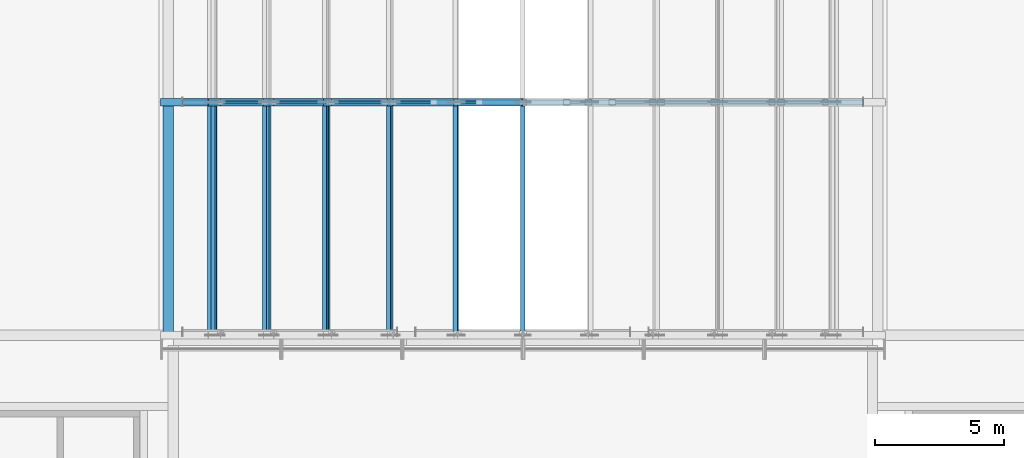
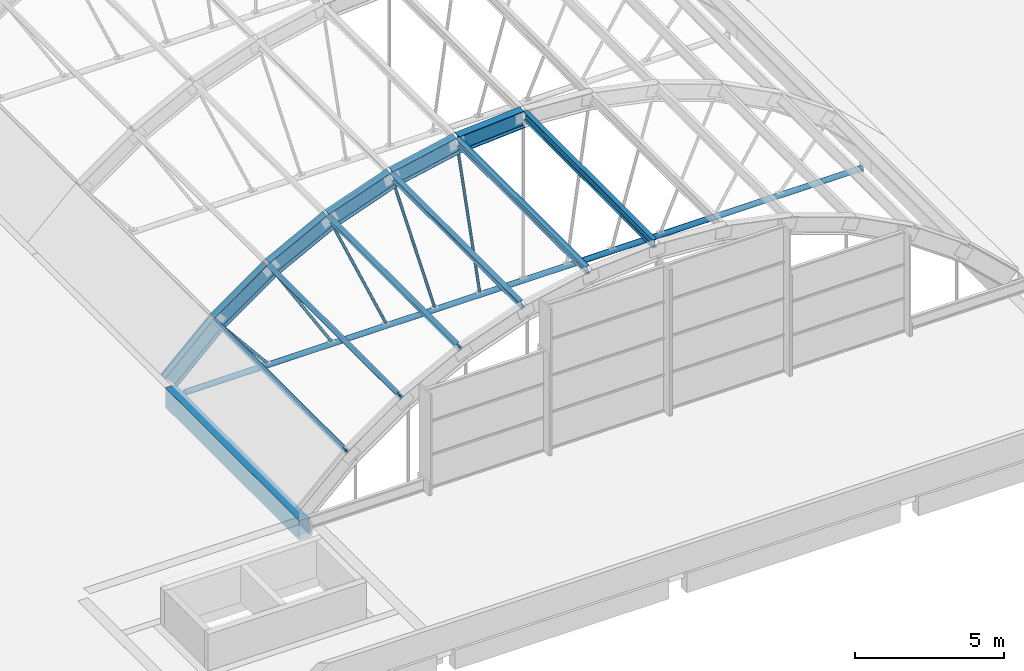
# One storey, part 4 of 43: 12 members, 7 beams.
"""IFC4 building model written with IfcOpenShell, lengths in metres."""

from ifc_helpers import new_model, si_unit, direction, frame, origin, origin_2d, place, context, subcontext, project, spatial, rectangle, hollow_circle, i_section, extrude, material, material_profile, profile_set, type_object, element, save


model = new_model("IFC4")

# Units and contexts
model_context = context("Model", 3, precision=1e-05, world=origin(), true_north=direction((0.0, 1.0)))
body_context = subcontext(model_context, "Body", "Model", "MODEL_VIEW")
ifc_project = project(units=[si_unit("LENGTHUNIT", "METRE"), si_unit("AREAUNIT", "SQUARE_METRE"), si_unit("VOLUMEUNIT", "CUBIC_METRE"), si_unit("PLANEANGLEUNIT", "RADIAN"), si_unit("MASSUNIT", "GRAM", prefix="KILO")], contexts=[model_context])

# Site, building, storey
site_placement = place(None, origin())
site = spatial("IfcSite", under=ifc_project, at=site_placement, CompositionType="ELEMENT")
building_placement = place(site_placement, origin())
building = spatial("IfcBuilding", under=site, at=building_placement, Name="Guidao Yard Department Store", CompositionType="ELEMENT")
storey_placement = place(building_placement, frame((0.0, 0.0, 28.5)))
storey = spatial("IfcBuildingStorey", under=building, at=storey_placement, Name="L06", CompositionType="ELEMENT", Elevation=28.5)

# Members
ifc_material_1 = material(Name="Steel Q355B", Category="steel")
ifc_material_profile_1 = material_profile(ifc_material_1, hollow_circle(Radius=0.056884765625, WallThickness=0.006103515625, at=origin_2d()), Name="CHS 114x6")
ifc_profile_set_1 = profile_set([ifc_material_profile_1], Name="Steel Q355B")
member_type_1 = type_object("IfcMemberType", Name="CHS 114x6", PredefinedType="BRACE", material=ifc_profile_set_1)
member_1_placement = place(storey_placement, frame((21.531982421875, 63.0, -0.33447265625), z_axis=(-0.634904146186, 0.0, 0.772590917081), x_axis=(0.0, -1.0, 0.0)))
element("IfcMember", 1, at=member_1_placement, inside=storey, type_object=member_type_1, Name="Roof web strut A02-01", PredefinedType="BRACE", context=body_context, shape_type="SweptSolid", body=[
    extrude(hollow_circle(Radius=0.056884765625, WallThickness=0.006103515625, at=origin_2d()), origin(), (0.0, 0.0, 1.0), 2.686279296875),
])
member_2_placement = place(storey_placement, frame((24.040283203125, 63.0, -0.33447265625), z_axis=(-0.522090893474, 0.0, 0.852889851594), x_axis=(0.0, -1.0, 0.0)))
element("IfcMember", 2, at=member_2_placement, inside=storey, type_object=member_type_1, Name="Roof web strut A02-02", PredefinedType="BRACE", context=body_context, shape_type="SweptSolid", body=[
    extrude(hollow_circle(Radius=0.056884765625, WallThickness=0.006103515625, at=origin_2d()), origin(), (0.0, 0.0, 1.0), 4.14404296875),
])
member_3_placement = place(storey_placement, frame((26.164306640625, 63.0, -0.33447265625), z_axis=(-0.399904458312, 0.0, 0.916556830874), x_axis=(0.0, -1.0, 0.0)))
element("IfcMember", 3, at=member_3_placement, inside=storey, type_object=member_type_1, Name="Roof web strut A02-03", PredefinedType="BRACE", context=body_context, shape_type="SweptSolid", body=[
    extrude(hollow_circle(Radius=0.056884765625, WallThickness=0.006103515625, at=origin_2d()), origin(), (0.0, 0.0, 1.0), 5.127685546875),
])
member_4_placement = place(storey_placement, frame((28.053955078125, 63.0, -0.33447265625), z_axis=(-0.270550525701, 0.0, 0.962705776986), x_axis=(0.0, -1.0, 0.0)))
element("IfcMember", 4, at=member_4_placement, inside=storey, type_object=member_type_1, Name="Roof web strut A02-04", PredefinedType="BRACE", context=body_context, shape_type="SweptSolid", body=[
    extrude(hollow_circle(Radius=0.056884765625, WallThickness=0.006103515625, at=origin_2d()), origin(), (0.0, 0.0, 1.0), 5.763427734375),
])
member_5_placement = place(storey_placement, frame((29.80810546875, 63.0, -0.33447265625), z_axis=(-0.136467360836, 0.0, 0.990644567656), x_axis=(0.0, -1.0, 0.0)))
element("IfcMember", 5, at=member_5_placement, inside=storey, type_object=member_type_1, Name="Roof web strut A02-05", PredefinedType="BRACE", context=body_context, shape_type="SweptSolid", body=[
    extrude(hollow_circle(Radius=0.056884765625, WallThickness=0.006103515625, at=origin_2d()), origin(), (0.0, 0.0, 1.0), 6.1220703125),
])
ifc_material_2 = material(Name="Steel Q355B", Category="steel")
ifc_material_profile_2 = material_profile(ifc_material_2, hollow_circle(Radius=0.109619140625, WallThickness=0.010009765625, at=origin_2d()), Name="CHS 219x10")
ifc_profile_set_2 = profile_set([ifc_material_profile_2], Name="Steel Q355B")
member_type_2 = type_object("IfcMemberType", Name="CHS 219x10", PredefinedType="BRACE", material=ifc_profile_set_2)
member_6_placement = place(storey_placement, frame((18.35009765625, 63.0, -0.449951171875), z_axis=(1.0, 0.0, 0.0), x_axis=(0.0, 1.0, 0.0)))
element("IfcMember", 6, at=member_6_placement, inside=storey, type_object=member_type_2, Name="Roof tie rod A02", PredefinedType="BRACE", context=body_context, shape_type="SweptSolid", body=[
    extrude(hollow_circle(Radius=0.109619140625, WallThickness=0.010009765625, at=origin_2d()), origin(), (0.0, 0.0, 1.0), 26.2998046875),
])
ifc_material_3 = material(Name="Steel Q355B", Category="steel")
ifc_material_profile_3 = material_profile(ifc_material_3, i_section(OverallWidth=0.175048828125, OverallDepth=0.35009765625, WebThickness=0.007080078125, FlangeThickness=0.010986328125, FilletRadius=0.012939453125, at=origin_2d()), Name="HN 350x175x7x11")
ifc_profile_set_3 = profile_set([ifc_material_profile_3], Name="Steel Q355B")
member_type_3 = type_object("IfcMemberType", Name="HN 350x175x7x11", PredefinedType="PURLIN", material=ifc_profile_set_3)
for number, where, z_axis, x_axis, name in (
    (7, (19.495849609375, 54.14990234375, 2.14306640625), (0.0, 1.0, 0.0), (-0.772569517273, 0.0, -0.634930185911), "Roof purlin A01-01"),
    (8, (21.604736328125, 54.14990234375, 3.643798828125), (0.0, 1.0, 0.0), (-0.852874237271, 0.0, -0.522116400239), "Roof purlin A01-02"),
    (9, (23.90576171875, 54.14990234375, 4.84228515625), (0.0, 1.0, 0.0), (-0.916571220375, 0.0, -0.399871476828), "Roof purlin A01-03"),
    (10, (26.353759765625, 54.14990234375, 5.71533203125), (0.0, 1.0, 0.0), (-0.962711909047, 0.0, -0.270528704906), "Roof purlin A01-04"),
    (11, (28.901611328125, 54.14990234375, 6.24609375), (0.0, 1.0, 0.0), (-0.990647128966, 0.0, -0.13644876647), "Roof purlin A01-05"),
    (12, (31.5, 54.14990234375, 6.424072265625), (0.0, 1.0, 0.0), (-1.0, 0.0, 0.0), "Roof purlin A01-06"),
):
    element("IfcMember", number, at=place(storey_placement, frame(where, z_axis=z_axis, x_axis=x_axis)), inside=storey, type_object=member_type_3, Name=name, PredefinedType="PURLIN", context=body_context, shape_type="SweptSolid", body=[
        extrude(i_section(OverallWidth=0.175048828125, OverallDepth=0.35009765625, WebThickness=0.007080078125, FlangeThickness=0.010986328125, FilletRadius=0.012939453125, at=origin_2d()), origin(), (0.0, 0.0, 1.0), 8.7001953125),
    ])

# Beams
ifc_material_4 = material(Name="Steel Q355B", Category="steel")
ifc_material_profile_4 = material_profile(ifc_material_4, i_section(OverallWidth=0.300048828125, OverallDepth=0.699951171875, WebThickness=0.012939453125, FlangeThickness=0.02392578125, FilletRadius=0.01806640625, at=origin_2d()), Name="HN 700x300x13x24")
ifc_profile_set_4 = profile_set([ifc_material_profile_4], Name="Steel Q355B")
beam_type_1 = type_object("IfcBeamType", Name="HN 700x300x13x24", PredefinedType="BEAM", material=ifc_profile_set_4)
beam_1_placement = place(storey_placement, frame((17.74462890625, 63.0, 0.25439453125), z_axis=(0.726628290109, 0.0, 0.687030805724), x_axis=(0.0, 1.0, 0.0)))
element("IfcBeam", 13, at=beam_1_placement, inside=storey, type_object=beam_type_1, Name="Roof rib A02-01", PredefinedType="BEAM", context=body_context, shape_type="SweptSolid", body=[
    extrude(i_section(OverallWidth=0.300048828125, OverallDepth=0.699951171875, WebThickness=0.012939453125, FlangeThickness=0.02392578125, FilletRadius=0.01806640625, at=origin_2d()), origin(), (0.0, 0.0, 1.0), 2.533935546875),
])
beam_2_placement = place(storey_placement, frame((19.62353515625, 63.0, 2.026123046875), z_axis=(0.814735308412, 0.0, 0.579833059791), x_axis=(0.0, 1.0, 0.0)))
element("IfcBeam", 14, at=beam_2_placement, inside=storey, type_object=beam_type_1, Name="Roof rib A02-02", PredefinedType="BEAM", context=body_context, shape_type="SweptSolid", body=[
    extrude(i_section(OverallWidth=0.300048828125, OverallDepth=0.699951171875, WebThickness=0.012939453125, FlangeThickness=0.02392578125, FilletRadius=0.01806640625, at=origin_2d()), origin(), (0.0, 0.0, 1.0), 2.51611328125),
])
beam_3_placement = place(storey_placement, frame((21.71484375, 63.0, 3.51025390625), z_axis=(0.886910779875, 0.0, 0.461940763023), x_axis=(0.0, 1.0, 0.0)))
element("IfcBeam", 15, at=beam_3_placement, inside=storey, type_object=beam_type_1, Name="Roof rib A02-03", PredefinedType="BEAM", context=body_context, shape_type="SweptSolid", body=[
    extrude(i_section(OverallWidth=0.300048828125, OverallDepth=0.699951171875, WebThickness=0.012939453125, FlangeThickness=0.02392578125, FilletRadius=0.01806640625, at=origin_2d()), origin(), (0.0, 0.0, 1.0), 2.5224609375),
])
beam_4_placement = place(storey_placement, frame((23.996337890625, 63.0, 4.69482421875), z_axis=(0.94189041097, 0.0, 0.335920308588), x_axis=(0.0, 1.0, 0.0)))
element("IfcBeam", 16, at=beam_4_placement, inside=storey, type_object=beam_type_1, Name="Roof rib A02-04", PredefinedType="BEAM", context=body_context, shape_type="SweptSolid", body=[
    extrude(i_section(OverallWidth=0.300048828125, OverallDepth=0.699951171875, WebThickness=0.012939453125, FlangeThickness=0.02392578125, FilletRadius=0.01806640625, at=origin_2d()), origin(), (0.0, 0.0, 1.0), 2.52783203125),
])
beam_5_placement = place(storey_placement, frame((26.42333984375, 63.0, 5.556884765625), z_axis=(0.978991652307, 0.0, 0.203900330343), x_axis=(0.0, 1.0, 0.0)))
element("IfcBeam", 17, at=beam_5_placement, inside=storey, type_object=beam_type_1, Name="Roof rib A02-05", PredefinedType="BEAM", context=body_context, shape_type="SweptSolid", body=[
    extrude(i_section(OverallWidth=0.300048828125, OverallDepth=0.699951171875, WebThickness=0.012939453125, FlangeThickness=0.02392578125, FilletRadius=0.01806640625, at=origin_2d()), origin(), (0.0, 0.0, 1.0), 2.53125),
])
beam_6_placement = place(storey_placement, frame((28.94873046875, 63.0, 6.07958984375), z_axis=(0.997662835171, 0.0, 0.06832911033), x_axis=(0.0, 1.0, 0.0)))
element("IfcBeam", 18, at=beam_6_placement, inside=storey, type_object=beam_type_1, Name="Roof rib A02-06", PredefinedType="BEAM", context=body_context, shape_type="SweptSolid", body=[
    extrude(i_section(OverallWidth=0.300048828125, OverallDepth=0.699951171875, WebThickness=0.012939453125, FlangeThickness=0.02392578125, FilletRadius=0.01806640625, at=origin_2d()), origin(), (0.0, 0.0, 1.0), 2.533203125),
])
ifc_material_5 = material(Name="Concrete C40", Category="concrete")
ifc_material_profile_5 = material_profile(ifc_material_5, rectangle(XDim=0.39990234375, YDim=0.800048828125, at=origin_2d()), Name="Vault bearing beam 400 x 800 C40")
ifc_profile_set_5 = profile_set([ifc_material_profile_5], Name="Concrete C40")
beam_type_2 = type_object("IfcBeamType", Name="Vault bearing beam 400 x 800 C40", PredefinedType="BEAM", material=ifc_profile_set_5)
beam_7_placement = place(storey_placement, frame((17.800048828125, 54.0, -0.39990234375), z_axis=(0.0, 1.0, 0.0), x_axis=(-1.0, 0.0, 0.0)))
element("IfcBeam", 19, at=beam_7_placement, inside=storey, type_object=beam_type_2, Name="Beam VB01", PredefinedType="BEAM", context=body_context, shape_type="SweptSolid", body=[
    extrude(rectangle(XDim=0.39990234375, YDim=0.800048828125, at=origin_2d()), origin(), (0.0, 0.0, 1.0), 9.0),
])

save(model, "model.ifc")
